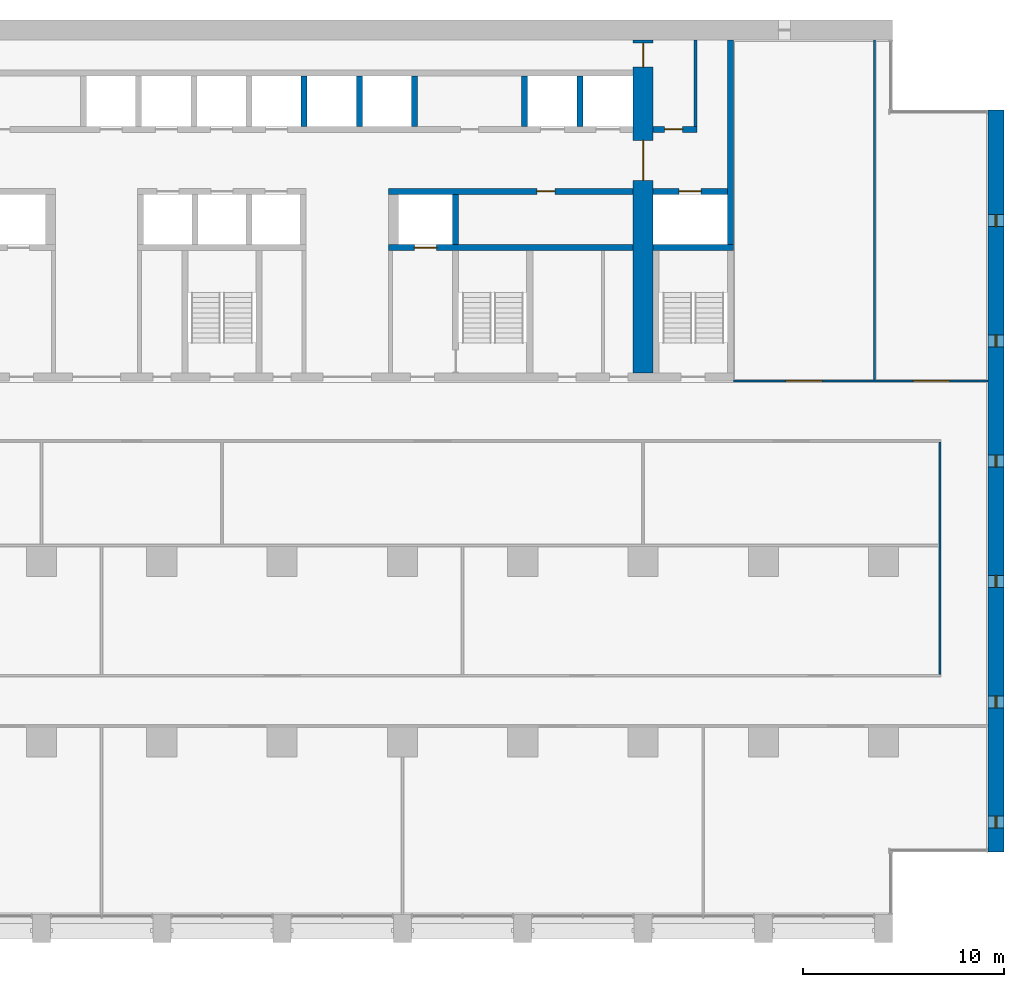
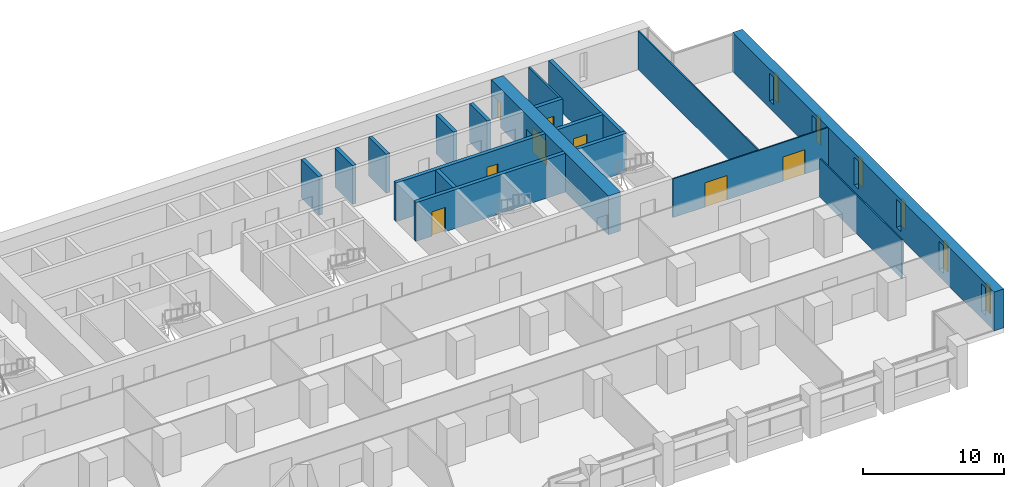
# One storey, part 13 of 18: 18 walls, 8 doors, 6 windows, 14 openings.
"""IFC4 building model written with IfcOpenShell, lengths in metres."""

import ifcopenshell
import ifcopenshell.guid

model = None  # the IFC model being written
_history = None  # IfcOwnerHistory: only IFC2X3 demands one
_inside = {}  # id of a spatial element -> (the spatial element, [elements in it])
_under = {}  # id of a project, library or spatial element -> (it, [spatial elements below it])
_declared = {}  # id of a project -> (the project, [libraries it declares])
_typed = {}  # id of a type object -> (the type object, [elements of that type])
_made_of = {}  # id of a material, layer set ... -> (it, [elements and type objects made of it])


def new_model(schema):
    """Start an empty IFC model of exactly this schema.

    Asked for "IFC4X3", IfcOpenShell would pick the latest addendum, in which some entities
    have other attributes; the version numbers below select the first issue.
    IFC2X3 requires an IfcOwnerHistory on every rooted entity: one is made here for all.
    """
    global model, _history
    if schema == "IFC4X3":
        model = ifcopenshell.file(schema_version=(4, 3, 0, 0))
    else:
        model = ifcopenshell.file(schema=schema)
    _inside.clear()
    _under.clear()
    _declared.clear()
    _typed.clear()
    _made_of.clear()
    _history = None
    if model.schema == "IFC2X3":
        org = make("IfcOrganization", Name="unknown")
        user = make(
            "IfcPersonAndOrganization",
            ThePerson=make("IfcPerson", FamilyName="unknown"),
            TheOrganization=org,
        )
        app = make(
            "IfcApplication",
            ApplicationDeveloper=org,
            Version="unknown",
            ApplicationFullName="unknown",
            ApplicationIdentifier="unknown",
        )
        _history = make(
            "IfcOwnerHistory",
            OwningUser=user,
            OwningApplication=app,
            ChangeAction="ADDED",
            CreationDate=0,
        )
    return model


def make(cls, **values):
    """One entity of the class cls with the attributes given. An attribute that is None is left unset."""
    return model.create_entity(
        cls, **{name: value for name, value in values.items() if value is not None}
    )


def rooted(cls, **values):
    """An entity with a GlobalId (a new one), such as an element, a storey or a relation."""
    return make(cls, GlobalId=ifcopenshell.guid.new(), OwnerHistory=_history, **values)


def si_unit(unit_type, name, prefix=None):
    """IfcSIUnit, for example si_unit("LENGTHUNIT", "METRE", prefix="MILLI")."""
    return make("IfcSIUnit", UnitType=unit_type, Prefix=prefix, Name=name)


def assignment(units):
    """IfcUnitAssignment: the units of a project."""
    return None if units is None else make("IfcUnitAssignment", Units=units)


def point(xyz):
    """IfcCartesianPoint."""
    return None if xyz is None else make("IfcCartesianPoint", Coordinates=xyz)


def direction(xyz):
    """IfcDirection."""
    return None if xyz is None else make("IfcDirection", DirectionRatios=xyz)


def frame(location, z_axis=None, x_axis=None):
    """IfcAxis2Placement3D, a coordinate frame: its origin and axes. An axis left out is left unset."""
    return make(
        "IfcAxis2Placement3D",
        Location=point(location),
        Axis=direction(z_axis),
        RefDirection=direction(x_axis),
    )


def frame_2d(location, x_axis=None):
    """IfcAxis2Placement2D, a coordinate frame in the plane: its origin and x axis."""
    return make(
        "IfcAxis2Placement2D", Location=point(location), RefDirection=direction(x_axis)
    )


def origin():
    """The frame at (0, 0, 0) with its axes left unset."""
    return frame((0.0, 0.0, 0.0))


def place(relative_to, where):
    """IfcLocalPlacement: puts the frame where relative to a parent placement (None: the world)."""
    return make(
        "IfcLocalPlacement", PlacementRelTo=relative_to, RelativePlacement=where
    )


def context(
    kind, dimensions, precision=None, world=None, true_north=None, identifier=None
):
    """IfcGeometricRepresentationContext, for example the 3D "Model" context."""
    return make(
        "IfcGeometricRepresentationContext",
        ContextIdentifier=identifier,
        ContextType=kind,
        CoordinateSpaceDimension=dimensions,
        Precision=precision,
        WorldCoordinateSystem=world,
        TrueNorth=true_north,
    )


def subcontext(parent, identifier, kind, view, scale=None):
    """IfcGeometricRepresentationSubContext, for example "Body" below "Model"."""
    return make(
        "IfcGeometricRepresentationSubContext",
        ContextIdentifier=identifier,
        ContextType=kind,
        ParentContext=parent,
        TargetScale=scale,
        TargetView=view,
    )


def project(units=None, contexts=None):
    """IfcProject with its units and contexts."""
    return rooted(
        "IfcProject",
        Name="project",
        RepresentationContexts=contexts,
        UnitsInContext=assignment(units),
    )


def spatial(cls, under=None, at=None, **own):
    """A site, building, storey or space (cls), placed at a placement, below another one or the project."""
    s = rooted(cls, ObjectPlacement=at, **own)
    if under is not None:
        _under.setdefault(under.id(), (under, []))[1].append(s)
    return s


def profile(cls, at=None, kind="AREA", **sizes):
    """A parametric profile (cls). Its sizes go by their IFC names, for example OverallWidth=200.0."""
    return make(cls, ProfileType=kind, Position=at, **sizes)


def rectangle(**sizes):
    """IfcRectangleProfileDef."""
    return profile("IfcRectangleProfileDef", **sizes)


def extrude(swept, where, along, depth):
    """IfcExtrudedAreaSolid: the profile swept, set in the frame where, extruded along a direction by depth."""
    return make(
        "IfcExtrudedAreaSolid",
        SweptArea=swept,
        Position=where,
        ExtrudedDirection=direction(along),
        Depth=depth,
    )


def shape(context_of_items, identifier, shape_type, items):
    """IfcShapeRepresentation: the items that make up one representation, for example the "Body"."""
    return make(
        "IfcShapeRepresentation",
        ContextOfItems=context_of_items,
        RepresentationIdentifier=identifier,
        RepresentationType=shape_type,
        Items=items,
    )


def material(Name=None, Category=None):
    """IfcMaterial."""
    return make("IfcMaterial", Name=Name, Category=Category)


def layer(
    of_material, thickness, ventilated=None, Name=None, Category=None, Priority=None
):
    """IfcMaterialLayer: one layer of a wall or slab, of a material (None: an air gap)."""
    return make(
        "IfcMaterialLayer",
        Material=of_material,
        LayerThickness=thickness,
        IsVentilated=ventilated,
        Name=Name,
        Category=Category,
        Priority=Priority,
    )


def layer_set(layers, Name=None):
    """IfcMaterialLayerSet."""
    return make("IfcMaterialLayerSet", MaterialLayers=layers, LayerSetName=Name)


def made_of(thing, what):
    """Note that an element or type object is made of a material, layer set ...; save() writes the relation."""
    if what is not None:
        _made_of.setdefault(what.id(), (what, []))[1].append(thing)
    return thing


def type_object(cls, material=None, **own):
    """A type object (cls), such as IfcWallType, which elements share."""
    return made_of(rooted(cls, **own), material)


def element(
    cls,
    number,
    at=None,
    inside=None,
    cuts=None,
    type_object=None,
    material=None,
    context=None,
    identifier="Body",
    shape_type=None,
    held_by="IfcProductDefinitionShape",
    body=None,
    shapes=None,
    **own,
):
    """One element of the class cls, such as IfcWall. Its Tag is "e" and its number.

    at: its placement. inside: the storey or other place that contains it. cuts: it is an
    opening in that element (IfcRelVoidsElement). A single representation is given by context,
    identifier, shape_type and body (its items); several are given by shapes. held_by: the class
    of the entity that holds the representations. save() writes the other relations.
    """
    e = rooted(cls, Tag="e%d" % number, ObjectPlacement=at, **own)
    if body is not None:
        shapes = [shape(context, identifier, shape_type, body)]
    if shapes is not None:
        e.Representation = make(held_by, Representations=shapes)
    if inside is not None:
        _inside.setdefault(inside.id(), (inside, []))[1].append(e)
    if cuts is not None:
        rooted(
            "IfcRelVoidsElement", RelatingBuildingElement=cuts, RelatedOpeningElement=e
        )
    if type_object is not None:
        _typed.setdefault(type_object.id(), (type_object, []))[1].append(e)
    return made_of(e, material)


def fill(opening, filler):
    """IfcRelFillsElement: the door or window that sits in an opening."""
    return rooted(
        "IfcRelFillsElement",
        RelatingOpeningElement=opening,
        RelatedBuildingElement=filler,
    )


def aggregate(whole, parts):
    """IfcRelAggregates: a whole, such as a stair, and the parts it consists of."""
    return rooted("IfcRelAggregates", RelatingObject=whole, RelatedObjects=parts)


def save(model, path):
    """Write the relations noted so far, then the file.

    IfcRelAggregates (storeys below a building ...), IfcRelContainedInSpatialStructure (elements
    in a storey), IfcRelDefinesByType, IfcRelAssociatesMaterial and IfcRelDeclares: one each for
    every whole, place, type object, material and project.
    """
    for whole, parts in _under.values():
        aggregate(whole, parts)
    for where, things in _inside.values():
        rooted(
            "IfcRelContainedInSpatialStructure",
            RelatedElements=things,
            RelatingStructure=where,
        )
    for kind, things in _typed.values():
        rooted("IfcRelDefinesByType", RelatedObjects=things, RelatingType=kind)
    for what, things in _made_of.values():
        rooted("IfcRelAssociatesMaterial", RelatedObjects=things, RelatingMaterial=what)
    for by, libraries in _declared.values():
        rooted("IfcRelDeclares", RelatingContext=by, RelatedDefinitions=libraries)
    model.write(path)


model = new_model("IFC4")

# Units and contexts
model_context = context("Model", 3, precision=1e-05, world=origin(), true_north=direction((0.0, 1.0)))
body_context = subcontext(model_context, "Body", "Model", "MODEL_VIEW")
ifc_project = project(units=[si_unit("LENGTHUNIT", "METRE"), si_unit("AREAUNIT", "SQUARE_METRE"), si_unit("VOLUMEUNIT", "CUBIC_METRE"), si_unit("PLANEANGLEUNIT", "RADIAN"), si_unit("MASSUNIT", "GRAM", prefix="KILO")], contexts=[model_context])

# Site, building, storey
site_placement = place(None, origin())
site = spatial("IfcSite", under=ifc_project, at=site_placement, CompositionType="ELEMENT")
building_placement = place(site_placement, origin())
building = spatial("IfcBuilding", under=site, at=building_placement, Name="Calvaro Tower", CompositionType="ELEMENT")
storey_placement = place(building_placement, frame((0.0, 0.0, 82.5)))
storey = spatial("IfcBuildingStorey", under=building, at=storey_placement, Name="L20", CompositionType="ELEMENT", Elevation=82.5)

# Wall
ifc_material_1 = material(Name="Blockwork partition", Category="masonry")
ifc_layer_1 = layer(ifc_material_1, 0.14990234375)
ifc_layer_set_1 = layer_set([ifc_layer_1], Name="Blockwork partition")
wall_type_1 = type_object("IfcWallType", Name="Core partition 150 REI 120", PredefinedType="PARTITIONING", material=ifc_layer_set_1)
wall_1_placement = place(storey_placement, frame((62.625, 40.699951171875, 0.0), z_axis=(0.0, 0.0, 1.0), x_axis=(0.0, 1.0, 0.0)))
element("IfcWall", 1, at=wall_1_placement, inside=storey, type_object=wall_type_1, Name="Core partition", PredefinedType="PARTITIONING", context=body_context, shape_type="SweptSolid", body=[
    extrude(rectangle(XDim=4.300048828125, YDim=0.14990234375, at=frame_2d((2.14990234375, 0.0))), origin(), (0.0, 0.0, 1.0), 3.35009765625),
])

# Wall, opening, door
ifc_material_2 = material(Name="Blockwork partition", Category="masonry")
ifc_layer_2 = layer(ifc_material_2, 0.300048828125)
ifc_layer_set_2 = layer_set([ifc_layer_2], Name="Blockwork partition")
wall_type_2 = type_object("IfcWallType", Name="Core partition 300 REI 120", PredefinedType="PARTITIONING", material=ifc_layer_set_2)
wall_2_placement = place(storey_placement, frame((60.5, 40.550048828125, 0.0), z_axis=(0.0, 0.0, 1.0), x_axis=(1.0, 0.0, 0.0)))
wall_2 = element("IfcWall", 2, at=wall_2_placement, inside=storey, type_object=wall_type_2, Name="Core partition", PredefinedType="PARTITIONING", context=body_context, shape_type="SweptSolid", body=[
    extrude(rectangle(XDim=2.199951171875, YDim=0.300048828125, at=frame_2d((1.10009765625, 0.0))), origin(), (0.0, 0.0, 1.0), 3.35009765625),
])
opening_1_placement = place(wall_2_placement, frame((0.574951171875, 0.0, 0.0)))
opening_1 = element("IfcOpeningElement", 3, at=opening_1_placement, cuts=wall_2, Name="Opening RD9E", PredefinedType="OPENING", context=body_context, shape_type="SweptSolid", body=[
    extrude(rectangle(XDim=0.89990234375, YDim=2.10009765625, at=frame_2d((0.449951171875, 1.050048828125))), frame((0.0, 0.159912109375, 0.0), z_axis=(0.0, -1.0, 0.0), x_axis=(1.0, 0.0, 0.0)), (0.0, 0.0, 1.0), 0.320068359375),
])
ifc_material_3 = material(Name="Steel door set", Category="steel")
door_type_1 = type_object("IfcDoorType", Name="Room door 900 FD60", OperationType="SINGLE_SWING_LEFT", PredefinedType="DOOR", material=ifc_material_3)
door_1_placement = place(opening_1_placement, origin())
door_1 = element("IfcDoor", 4, at=door_1_placement, inside=storey, type_object=door_type_1, Name="Room door", OperationType="SINGLE_SWING_LEFT", OverallHeight=2.10009765625, OverallWidth=0.89990234375, PredefinedType="DOOR", context=body_context, shape_type="SweptSolid", body=[
    extrude(rectangle(XDim=0.89990234375, YDim=2.10009765625, at=frame_2d((0.449951171875, 1.050048828125))), frame((0.0, 0.02490234375, 0.0), z_axis=(0.0, -1.0, 0.0), x_axis=(1.0, 0.0, 0.0)), (0.0, 0.0, 1.0), 0.050048828125),
])
fill(opening_1, door_1)

# Wall, openings, doors
ifc_material_4 = material(Name="Concrete C80/95", Category="concrete")
ifc_layer_3 = layer(ifc_material_4, 1.0)
ifc_layer_set_3 = layer_set([ifc_layer_3], Name="Concrete C80/95")
wall_type_3 = type_object("IfcWallType", Name="Core wall C80/95 1000", PredefinedType="SHEAR", material=ifc_layer_set_3)
wall_3_placement = place(storey_placement, frame((60.0, 28.39990234375, 0.0), z_axis=(0.0, 0.0, 1.0), x_axis=(0.0, 1.0, 0.0)))
wall_3 = element("IfcWall", 5, at=wall_3_placement, inside=storey, type_object=wall_type_3, Name="Core wall, cross shear wall", PredefinedType="SHEAR", context=body_context, shape_type="SweptSolid", body=[
    extrude(rectangle(XDim=16.60009765625, YDim=1.0, at=frame_2d((8.300048828125, 0.0))), origin(), (0.0, 0.0, 1.0), 3.35009765625),
])
opening_2_placement = place(wall_3_placement, frame((9.60009765625, 0.0, 0.0)))
opening_2 = element("IfcOpeningElement", 6, at=opening_2_placement, cuts=wall_3, Name="Opening DD20D", PredefinedType="OPENING", context=body_context, shape_type="SweptSolid", body=[
    extrude(rectangle(XDim=2.0, YDim=2.10009765625, at=frame_2d((1.0, 1.050048828125))), frame((0.0, 0.510009765625, 0.0), z_axis=(0.0, -1.0, 0.0), x_axis=(1.0, 0.0, 0.0)), (0.0, 0.0, 1.0), 1.02001953125),
])
opening_3_placement = place(wall_3_placement, frame((15.25, 0.0, 0.0)))
opening_3 = element("IfcOpeningElement", 7, at=opening_3_placement, cuts=wall_3, Name="Opening FD12C", PredefinedType="OPENING", context=body_context, shape_type="SweptSolid", body=[
    extrude(rectangle(XDim=1.199951171875, YDim=2.10009765625, at=frame_2d((0.60009765625, 1.050048828125))), frame((0.0, 0.510009765625, 0.0), z_axis=(0.0, -1.0, 0.0), x_axis=(1.0, 0.0, 0.0)), (0.0, 0.0, 1.0), 1.02001953125),
])
ifc_material_5 = material(Name="Steel door set", Category="steel")
door_type_2 = type_object("IfcDoorType", Name="Fire door 1200 FD30", OperationType="SINGLE_SWING_LEFT", PredefinedType="DOOR", material=ifc_material_5)
door_2_placement = place(opening_3_placement, origin())
door_2 = element("IfcDoor", 8, at=door_2_placement, inside=storey, type_object=door_type_2, Name="Fire door", OperationType="SINGLE_SWING_LEFT", OverallHeight=2.10009765625, OverallWidth=1.199951171875, PredefinedType="DOOR", context=body_context, shape_type="SweptSolid", body=[
    extrude(rectangle(XDim=1.199951171875, YDim=2.10009765625, at=frame_2d((0.60009765625, 1.050048828125))), frame((0.0, 0.02490234375, 0.0), z_axis=(0.0, -1.0, 0.0), x_axis=(1.0, 0.0, 0.0)), (0.0, 0.0, 1.0), 0.050048828125),
])
fill(opening_3, door_2)
ifc_material_6 = material(Name="Steel door set", Category="steel")
door_type_3 = type_object("IfcDoorType", Name="Lobby double door 2000 FD30S", OperationType="DOUBLE_DOOR_SINGLE_SWING", PredefinedType="DOOR", material=ifc_material_6)
door_3_placement = place(opening_2_placement, origin())
door_3 = element("IfcDoor", 9, at=door_3_placement, inside=storey, type_object=door_type_3, Name="Lobby double door", OperationType="DOUBLE_DOOR_SINGLE_SWING", OverallHeight=2.10009765625, OverallWidth=2.0, PredefinedType="DOOR", context=body_context, shape_type="SweptSolid", body=[
    extrude(rectangle(XDim=2.0, YDim=2.10009765625, at=frame_2d((1.0, 1.050048828125))), frame((0.0, 0.02490234375, 0.0), z_axis=(0.0, -1.0, 0.0), x_axis=(1.0, 0.0, 0.0)), (0.0, 0.0, 1.0), 0.050048828125),
])
fill(opening_2, door_3)

# Wall
ifc_material_7 = material(Name="Concrete C80/95", Category="concrete")
ifc_layer_4 = layer(ifc_material_7, 0.300048828125)
ifc_layer_set_4 = layer_set([ifc_layer_4], Name="Concrete C80/95")
wall_type_4 = type_object("IfcWallType", Name="Core wall C80/95 300", PredefinedType="SHEAR", material=ifc_layer_set_4)
wall_4_placement = place(storey_placement, frame((64.35009765625, 34.800048828125, 0.0), z_axis=(0.0, 0.0, 1.0), x_axis=(0.0, 1.0, 0.0)))
element("IfcWall", 10, at=wall_4_placement, inside=storey, type_object=wall_type_4, Name="Core wall, boundary", PredefinedType="SHEAR", context=body_context, shape_type="SweptSolid", body=[
    extrude(rectangle(XDim=10.199951171875, YDim=0.300048828125, at=frame_2d((5.10009765625, 0.0))), origin(), (0.0, 0.0, 1.0), 3.35009765625),
])

# Wall, opening, door
wall_5_placement = place(storey_placement, frame((47.300048828125, 34.64990234375, 0.0), z_axis=(0.0, 0.0, 1.0), x_axis=(1.0, 0.0, 0.0)))
wall_5 = element("IfcWall", 11, at=wall_5_placement, inside=storey, type_object=wall_type_4, Name="Core wall, lift shaft", PredefinedType="SHEAR", context=body_context, shape_type="SweptSolid", body=[
    extrude(rectangle(XDim=12.199951171875, YDim=0.300048828125, at=frame_2d((6.10009765625, 0.0))), origin(), (0.0, 0.0, 1.0), 3.35009765625),
])
opening_4_placement = place(wall_5_placement, frame((1.300048828125, 0.0, 0.0)))
opening_4 = element("IfcOpeningElement", 12, at=opening_4_placement, cuts=wall_5, Name="Opening FF2", PredefinedType="OPENING", context=body_context, shape_type="SweptSolid", body=[
    extrude(rectangle(XDim=1.10009765625, YDim=2.10009765625, at=frame_2d((0.550048828125, 1.050048828125))), frame((0.0, 0.159912109375, 0.0), z_axis=(0.0, -1.0, 0.0), x_axis=(1.0, 0.0, 0.0)), (0.0, 0.0, 1.0), 0.320068359375),
])
ifc_material_8 = material(Name="Stainless steel", Category="steel")
door_type_4 = type_object("IfcDoorType", Name="Landing door 1100 E 60", OperationType="SLIDING_TO_LEFT", PredefinedType="DOOR", material=ifc_material_8)
door_4_placement = place(opening_4_placement, origin())
door_4 = element("IfcDoor", 13, at=door_4_placement, inside=storey, type_object=door_type_4, Name="Landing door FF2", OperationType="SLIDING_TO_LEFT", OverallHeight=2.10009765625, OverallWidth=1.10009765625, PredefinedType="DOOR", context=body_context, shape_type="SweptSolid", body=[
    extrude(rectangle(XDim=1.10009765625, YDim=2.10009765625, at=frame_2d((0.550048828125, 1.050048828125))), frame((0.0, 0.02490234375, 0.0), z_axis=(0.0, -1.0, 0.0), x_axis=(1.0, 0.0, 0.0)), (0.0, 0.0, 1.0), 0.050048828125),
])
fill(opening_4, door_4)

# Wall
wall_6_placement = place(storey_placement, frame((60.5, 34.64990234375, 0.0), z_axis=(0.0, 0.0, 1.0), x_axis=(1.0, 0.0, 0.0)))
element("IfcWall", 14, at=wall_6_placement, inside=storey, type_object=wall_type_4, Name="Core wall, lift shaft", PredefinedType="SHEAR", context=body_context, shape_type="SweptSolid", body=[
    extrude(rectangle(XDim=4.0, YDim=0.300048828125, at=frame_2d((2.0, 0.0))), origin(), (0.0, 0.0, 1.0), 3.35009765625),
])

# Wall, opening, door
wall_7_placement = place(storey_placement, frame((59.5, 37.449951171875, 0.0), z_axis=(0.0, 0.0, 1.0), x_axis=(-1.0, 0.0, 0.0)))
wall_7 = element("IfcWall", 15, at=wall_7_placement, inside=storey, type_object=wall_type_4, Name="Core wall, bay", PredefinedType="SHEAR", context=body_context, shape_type="SweptSolid", body=[
    extrude(rectangle(XDim=12.199951171875, YDim=0.300048828125, at=frame_2d((6.10009765625, 0.0))), origin(), (0.0, 0.0, 1.0), 3.35009765625),
])
opening_5_placement = place(wall_7_placement, frame((3.89990234375, 0.0, 0.0)))
opening_5 = element("IfcOpeningElement", 16, at=opening_5_placement, cuts=wall_7, Name="Opening RD9C", PredefinedType="OPENING", context=body_context, shape_type="SweptSolid", body=[
    extrude(rectangle(XDim=0.89990234375, YDim=2.10009765625, at=frame_2d((0.449951171875, 1.050048828125))), frame((0.0, 0.159912109375, 0.0), z_axis=(0.0, -1.0, 0.0), x_axis=(1.0, 0.0, 0.0)), (0.0, 0.0, 1.0), 0.320068359375),
])
ifc_material_9 = material(Name="Steel door set", Category="steel")
door_type_5 = type_object("IfcDoorType", Name="Room door 900 FD30", OperationType="SINGLE_SWING_LEFT", PredefinedType="DOOR", material=ifc_material_9)
door_5_placement = place(opening_5_placement, origin())
door_5 = element("IfcDoor", 17, at=door_5_placement, inside=storey, type_object=door_type_5, Name="Room door", OperationType="SINGLE_SWING_RIGHT", OverallHeight=2.10009765625, OverallWidth=0.89990234375, PredefinedType="DOOR", context=body_context, shape_type="SweptSolid", body=[
    extrude(rectangle(XDim=0.89990234375, YDim=2.10009765625, at=frame_2d((0.449951171875, 1.050048828125))), frame((0.0, 0.02490234375, 0.0), z_axis=(0.0, -1.0, 0.0), x_axis=(1.0, 0.0, 0.0)), (0.0, 0.0, 1.0), 0.050048828125),
])
fill(opening_5, door_5)

wall_8_placement = place(storey_placement, frame((60.5, 37.449951171875, 0.0), z_axis=(0.0, 0.0, 1.0), x_axis=(1.0, 0.0, 0.0)))
wall_8 = element("IfcWall", 18, at=wall_8_placement, inside=storey, type_object=wall_type_4, Name="Core wall, lift shaft", PredefinedType="SHEAR", context=body_context, shape_type="SweptSolid", body=[
    extrude(rectangle(XDim=3.699951171875, YDim=0.300048828125, at=frame_2d((1.85009765625, 0.0))), origin(), (0.0, 0.0, 1.0), 3.35009765625),
])
opening_6_placement = place(wall_8_placement, frame((1.300048828125, 0.0, 0.0)))
opening_6 = element("IfcOpeningElement", 19, at=opening_6_placement, cuts=wall_8, Name="Opening FF3", PredefinedType="OPENING", context=body_context, shape_type="SweptSolid", body=[
    extrude(rectangle(XDim=1.10009765625, YDim=2.10009765625, at=frame_2d((0.550048828125, 1.050048828125))), frame((0.0, 0.159912109375, 0.0), z_axis=(0.0, -1.0, 0.0), x_axis=(1.0, 0.0, 0.0)), (0.0, 0.0, 1.0), 0.320068359375),
])
door_6_placement = place(opening_6_placement, origin())
door_6 = element("IfcDoor", 20, at=door_6_placement, inside=storey, type_object=door_type_4, Name="Landing door FF3", OperationType="SLIDING_TO_LEFT", OverallHeight=2.10009765625, OverallWidth=1.10009765625, PredefinedType="DOOR", context=body_context, shape_type="SweptSolid", body=[
    extrude(rectangle(XDim=1.10009765625, YDim=2.10009765625, at=frame_2d((0.550048828125, 1.050048828125))), frame((0.0, 0.02490234375, 0.0), z_axis=(0.0, -1.0, 0.0), x_axis=(1.0, 0.0, 0.0)), (0.0, 0.0, 1.0), 0.050048828125),
])
fill(opening_6, door_6)

# Walls
for number, where, z_axis, x_axis, name in (
    (21, (50.64990234375, 34.800048828125, 0.0), (0.0, 0.0, 1.0), (0.0, 1.0, 0.0), "Core wall, lift shaft"),
    (22, (43.10009765625, 40.699951171875, 0.0), (0.0, 0.0, 1.0), (0.0, 1.0, 0.0), "Core wall, lift shaft"),
    (23, (45.85009765625, 40.699951171875, 0.0), (0.0, 0.0, 1.0), (0.0, 1.0, 0.0), "Core wall, lift shaft"),
    (24, (48.60009765625, 40.699951171875, 0.0), (0.0, 0.0, 1.0), (0.0, 1.0, 0.0), "Core wall, lift shaft"),
    (25, (54.10009765625, 40.699951171875, 0.0), (0.0, 0.0, 1.0), (0.0, 1.0, 0.0), "Core wall, lift shaft"),
    (26, (56.85009765625, 40.699951171875, 0.0), (0.0, 0.0, 1.0), (0.0, 1.0, 0.0), "Core wall, lift shaft"),
):
    element("IfcWall", number, at=place(storey_placement, frame(where, z_axis=z_axis, x_axis=x_axis)), inside=storey, type_object=wall_type_4, Name=name, PredefinedType="SHEAR", context=body_context, shape_type="SweptSolid", body=[
        extrude(rectangle(XDim=2.5, YDim=0.300048828125, at=frame_2d((1.25, 0.0))), origin(), (0.0, 0.0, 1.0), 3.35009765625),
    ])

# Wall, openings, windows
ifc_material_10 = material(Name="Concrete C80/95", Category="concrete")
ifc_layer_5 = layer(ifc_material_10, 0.800048828125)
ifc_layer_set_5 = layer_set([ifc_layer_5], Name="Concrete C80/95")
wall_type_5 = type_object("IfcWallType", Name="End wall 800 C80/95", PredefinedType="SHEAR", material=ifc_layer_set_5)
wall_9_placement = place(storey_placement, frame((77.60009765625, 4.5, 0.0), z_axis=(0.0, 0.0, 1.0), x_axis=(0.0, 1.0, 0.0)))
wall_9 = element("IfcWall", 27, at=wall_9_placement, inside=storey, type_object=wall_type_5, Name="End shear wall", PredefinedType="SHEAR", context=body_context, shape_type="SweptSolid", body=[
    extrude(rectangle(XDim=37.0, YDim=0.800048828125, at=frame_2d((18.5, 0.0))), origin(), (0.0, 0.0, 1.0), 3.35009765625),
])
opening_7_placement = place(wall_9_placement, frame((1.199951171875, 0.0, 0.60009765625)))
opening_7 = element("IfcOpeningElement", 28, at=opening_7_placement, cuts=wall_9, Name="Opening WE01", PredefinedType="OPENING", context=body_context, shape_type="SweptSolid", body=[
    extrude(rectangle(XDim=0.60009765625, YDim=2.39990234375, at=frame_2d((0.300048828125, 1.199951171875))), frame((0.0, 0.409912109375, 0.0), z_axis=(0.0, -1.0, 0.0), x_axis=(1.0, 0.0, 0.0)), (0.0, 0.0, 1.0), 0.820068359375),
])
opening_8_placement = place(wall_9_placement, frame((7.199951171875, 0.0, 0.60009765625)))
opening_8 = element("IfcOpeningElement", 29, at=opening_8_placement, cuts=wall_9, Name="Opening WE02", PredefinedType="OPENING", context=body_context, shape_type="SweptSolid", body=[
    extrude(rectangle(XDim=0.60009765625, YDim=2.39990234375, at=frame_2d((0.300048828125, 1.199951171875))), frame((0.0, 0.409912109375, 0.0), z_axis=(0.0, -1.0, 0.0), x_axis=(1.0, 0.0, 0.0)), (0.0, 0.0, 1.0), 0.820068359375),
])
opening_9_placement = place(wall_9_placement, frame((13.199951171875, 0.0, 0.60009765625)))
opening_9 = element("IfcOpeningElement", 30, at=opening_9_placement, cuts=wall_9, Name="Opening WE03", PredefinedType="OPENING", context=body_context, shape_type="SweptSolid", body=[
    extrude(rectangle(XDim=0.60009765625, YDim=2.39990234375, at=frame_2d((0.300048828125, 1.199951171875))), frame((0.0, 0.409912109375, 0.0), z_axis=(0.0, -1.0, 0.0), x_axis=(1.0, 0.0, 0.0)), (0.0, 0.0, 1.0), 0.820068359375),
])
opening_10_placement = place(wall_9_placement, frame((19.199951171875, 0.0, 0.60009765625)))
opening_10 = element("IfcOpeningElement", 31, at=opening_10_placement, cuts=wall_9, Name="Opening WE04", PredefinedType="OPENING", context=body_context, shape_type="SweptSolid", body=[
    extrude(rectangle(XDim=0.60009765625, YDim=2.39990234375, at=frame_2d((0.300048828125, 1.199951171875))), frame((0.0, 0.409912109375, 0.0), z_axis=(0.0, -1.0, 0.0), x_axis=(1.0, 0.0, 0.0)), (0.0, 0.0, 1.0), 0.820068359375),
])
opening_11_placement = place(wall_9_placement, frame((25.199951171875, 0.0, 0.60009765625)))
opening_11 = element("IfcOpeningElement", 32, at=opening_11_placement, cuts=wall_9, Name="Opening WE05", PredefinedType="OPENING", context=body_context, shape_type="SweptSolid", body=[
    extrude(rectangle(XDim=0.60009765625, YDim=2.39990234375, at=frame_2d((0.300048828125, 1.199951171875))), frame((0.0, 0.409912109375, 0.0), z_axis=(0.0, -1.0, 0.0), x_axis=(1.0, 0.0, 0.0)), (0.0, 0.0, 1.0), 0.820068359375),
])
opening_12_placement = place(wall_9_placement, frame((31.199951171875, 0.0, 0.60009765625)))
opening_12 = element("IfcOpeningElement", 33, at=opening_12_placement, cuts=wall_9, Name="Opening WE06", PredefinedType="OPENING", context=body_context, shape_type="SweptSolid", body=[
    extrude(rectangle(XDim=0.60009765625, YDim=2.39990234375, at=frame_2d((0.300048828125, 1.199951171875))), frame((0.0, 0.409912109375, 0.0), z_axis=(0.0, -1.0, 0.0), x_axis=(1.0, 0.0, 0.0)), (0.0, 0.0, 1.0), 0.820068359375),
])
ifc_material_11 = material(Name="Glass", Category="glass")
window_type = type_object("IfcWindowType", Name="Slit window 600 x 2400", PartitioningType="SINGLE_PANEL", PredefinedType="WINDOW", material=ifc_material_11)
window_1_placement = place(opening_7_placement, origin())
window_1 = element("IfcWindow", 34, at=window_1_placement, inside=storey, type_object=window_type, Name="Window WE01", OverallHeight=2.39990234375, OverallWidth=0.60009765625, PartitioningType="SINGLE_PANEL", PredefinedType="WINDOW", context=body_context, shape_type="SweptSolid", body=[
    extrude(rectangle(XDim=0.60009765625, YDim=2.39990234375, at=frame_2d((0.300048828125, 1.199951171875))), frame((0.0, 0.030029296875, 0.0), z_axis=(0.0, -1.0, 0.0), x_axis=(1.0, 0.0, 0.0)), (0.0, 0.0, 1.0), 0.06005859375),
])
fill(opening_7, window_1)
window_2_placement = place(opening_8_placement, origin())
window_2 = element("IfcWindow", 35, at=window_2_placement, inside=storey, type_object=window_type, Name="Window WE02", OverallHeight=2.39990234375, OverallWidth=0.60009765625, PartitioningType="SINGLE_PANEL", PredefinedType="WINDOW", context=body_context, shape_type="SweptSolid", body=[
    extrude(rectangle(XDim=0.60009765625, YDim=2.39990234375, at=frame_2d((0.300048828125, 1.199951171875))), frame((0.0, 0.030029296875, 0.0), z_axis=(0.0, -1.0, 0.0), x_axis=(1.0, 0.0, 0.0)), (0.0, 0.0, 1.0), 0.06005859375),
])
fill(opening_8, window_2)
window_3_placement = place(opening_9_placement, origin())
window_3 = element("IfcWindow", 36, at=window_3_placement, inside=storey, type_object=window_type, Name="Window WE03", OverallHeight=2.39990234375, OverallWidth=0.60009765625, PartitioningType="SINGLE_PANEL", PredefinedType="WINDOW", context=body_context, shape_type="SweptSolid", body=[
    extrude(rectangle(XDim=0.60009765625, YDim=2.39990234375, at=frame_2d((0.300048828125, 1.199951171875))), frame((0.0, 0.030029296875, 0.0), z_axis=(0.0, -1.0, 0.0), x_axis=(1.0, 0.0, 0.0)), (0.0, 0.0, 1.0), 0.06005859375),
])
fill(opening_9, window_3)
window_4_placement = place(opening_10_placement, origin())
window_4 = element("IfcWindow", 37, at=window_4_placement, inside=storey, type_object=window_type, Name="Window WE04", OverallHeight=2.39990234375, OverallWidth=0.60009765625, PartitioningType="SINGLE_PANEL", PredefinedType="WINDOW", context=body_context, shape_type="SweptSolid", body=[
    extrude(rectangle(XDim=0.60009765625, YDim=2.39990234375, at=frame_2d((0.300048828125, 1.199951171875))), frame((0.0, 0.030029296875, 0.0), z_axis=(0.0, -1.0, 0.0), x_axis=(1.0, 0.0, 0.0)), (0.0, 0.0, 1.0), 0.06005859375),
])
fill(opening_10, window_4)
window_5_placement = place(opening_11_placement, origin())
window_5 = element("IfcWindow", 38, at=window_5_placement, inside=storey, type_object=window_type, Name="Window WE05", OverallHeight=2.39990234375, OverallWidth=0.60009765625, PartitioningType="SINGLE_PANEL", PredefinedType="WINDOW", context=body_context, shape_type="SweptSolid", body=[
    extrude(rectangle(XDim=0.60009765625, YDim=2.39990234375, at=frame_2d((0.300048828125, 1.199951171875))), frame((0.0, 0.030029296875, 0.0), z_axis=(0.0, -1.0, 0.0), x_axis=(1.0, 0.0, 0.0)), (0.0, 0.0, 1.0), 0.06005859375),
])
fill(opening_11, window_5)
window_6_placement = place(opening_12_placement, origin())
window_6 = element("IfcWindow", 39, at=window_6_placement, inside=storey, type_object=window_type, Name="Window WE06", OverallHeight=2.39990234375, OverallWidth=0.60009765625, PartitioningType="SINGLE_PANEL", PredefinedType="WINDOW", context=body_context, shape_type="SweptSolid", body=[
    extrude(rectangle(XDim=0.60009765625, YDim=2.39990234375, at=frame_2d((0.300048828125, 1.199951171875))), frame((0.0, 0.030029296875, 0.0), z_axis=(0.0, -1.0, 0.0), x_axis=(1.0, 0.0, 0.0)), (0.0, 0.0, 1.0), 0.06005859375),
])
fill(opening_12, window_6)

# Wall, openings, doors
ifc_material_12 = material(Name="Plasterboard on steel studs", Category="steel")
ifc_layer_6 = layer(ifc_material_12, 0.10009765625)
ifc_layer_set_6 = layer_set([ifc_layer_6], Name="Plasterboard on steel studs")
wall_type_6 = type_object("IfcWallType", Name="Partition 100", PredefinedType="PARTITIONING", material=ifc_layer_set_6)
wall_10_placement = place(storey_placement, frame((64.5, 28.0, 0.0), z_axis=(0.0, 0.0, 1.0), x_axis=(1.0, 0.0, 0.0)))
wall_10 = element("IfcWall", 40, at=wall_10_placement, inside=storey, type_object=wall_type_6, Name="Partition T14.W006", PredefinedType="PARTITIONING", context=body_context, shape_type="SweptSolid", body=[
    extrude(rectangle(XDim=12.699951171875, YDim=0.10009765625, at=frame_2d((6.35009765625, 0.0))), origin(), (0.0, 0.0, 1.0), 3.35009765625),
])
opening_13_placement = place(wall_10_placement, frame((8.97509765625, 0.0, 0.0)))
opening_13 = element("IfcOpeningElement", 41, at=opening_13_placement, cuts=wall_10, Name="Opening T14.017", PredefinedType="OPENING", context=body_context, shape_type="SweptSolid", body=[
    extrude(rectangle(XDim=1.800048828125, YDim=2.10009765625, at=frame_2d((0.89990234375, 1.050048828125))), frame((0.0, 0.06005859375, 0.0), z_axis=(0.0, -1.0, 0.0), x_axis=(1.0, 0.0, 0.0)), (0.0, 0.0, 1.0), 0.1201171875),
])
opening_14_placement = place(wall_10_placement, frame((2.625, 0.0, 0.0)))
opening_14 = element("IfcOpeningElement", 42, at=opening_14_placement, cuts=wall_10, Name="Opening T14.019", PredefinedType="OPENING", context=body_context, shape_type="SweptSolid", body=[
    extrude(rectangle(XDim=1.800048828125, YDim=2.10009765625, at=frame_2d((0.89990234375, 1.050048828125))), frame((0.0, 0.06005859375, 0.0), z_axis=(0.0, -1.0, 0.0), x_axis=(1.0, 0.0, 0.0)), (0.0, 0.0, 1.0), 0.1201171875),
])
ifc_material_13 = material(Name="Timber", Category="wood")
door_type_6 = type_object("IfcDoorType", Name="Internal double door 1800 x 2100", OperationType="DOUBLE_DOOR_SINGLE_SWING", PredefinedType="DOOR", material=ifc_material_13)
door_7_placement = place(opening_13_placement, origin())
door_7 = element("IfcDoor", 43, at=door_7_placement, inside=storey, type_object=door_type_6, Name="Door T14.017", OperationType="DOUBLE_DOOR_SINGLE_SWING", OverallHeight=2.10009765625, OverallWidth=1.800048828125, PredefinedType="DOOR", context=body_context, shape_type="SweptSolid", body=[
    extrude(rectangle(XDim=1.800048828125, YDim=2.10009765625, at=frame_2d((0.89990234375, 1.050048828125))), frame((0.0, 0.02490234375, 0.0), z_axis=(0.0, -1.0, 0.0), x_axis=(1.0, 0.0, 0.0)), (0.0, 0.0, 1.0), 0.050048828125),
])
fill(opening_13, door_7)
door_8_placement = place(opening_14_placement, origin())
door_8 = element("IfcDoor", 44, at=door_8_placement, inside=storey, type_object=door_type_6, Name="Door T14.019", OperationType="DOUBLE_DOOR_SINGLE_SWING", OverallHeight=2.10009765625, OverallWidth=1.800048828125, PredefinedType="DOOR", context=body_context, shape_type="SweptSolid", body=[
    extrude(rectangle(XDim=1.800048828125, YDim=2.10009765625, at=frame_2d((0.89990234375, 1.050048828125))), frame((0.0, 0.02490234375, 0.0), z_axis=(0.0, -1.0, 0.0), x_axis=(1.0, 0.0, 0.0)), (0.0, 0.0, 1.0), 0.050048828125),
])
fill(opening_14, door_8)

# Walls
wall_11_placement = place(storey_placement, frame((71.550048828125, 28.050048828125, 0.0), z_axis=(0.0, 0.0, 1.0), x_axis=(0.0, 1.0, 0.0)))
element("IfcWall", 45, at=wall_11_placement, inside=storey, type_object=wall_type_6, Name="Partition T14.W020", PredefinedType="PARTITIONING", context=body_context, shape_type="SweptSolid", body=[
    extrude(rectangle(XDim=16.949951171875, YDim=0.10009765625, at=frame_2d((8.47509765625, 0.0))), origin(), (0.0, 0.0, 1.0), 3.35009765625),
])
wall_12_placement = place(storey_placement, frame((74.800048828125, 13.35009765625, 0.0), z_axis=(0.0, 0.0, 1.0), x_axis=(0.0, 1.0, 0.0)))
element("IfcWall", 46, at=wall_12_placement, inside=storey, type_object=wall_type_6, Name="Partition T14.W021", PredefinedType="PARTITIONING", context=body_context, shape_type="SweptSolid", body=[
    extrude(rectangle(XDim=11.599853515625, YDim=0.10009765625, at=frame_2d((5.7998046875, 0.0))), origin(), (0.0, 0.0, 1.0), 3.35009765625),
])

save(model, "model.ifc")
